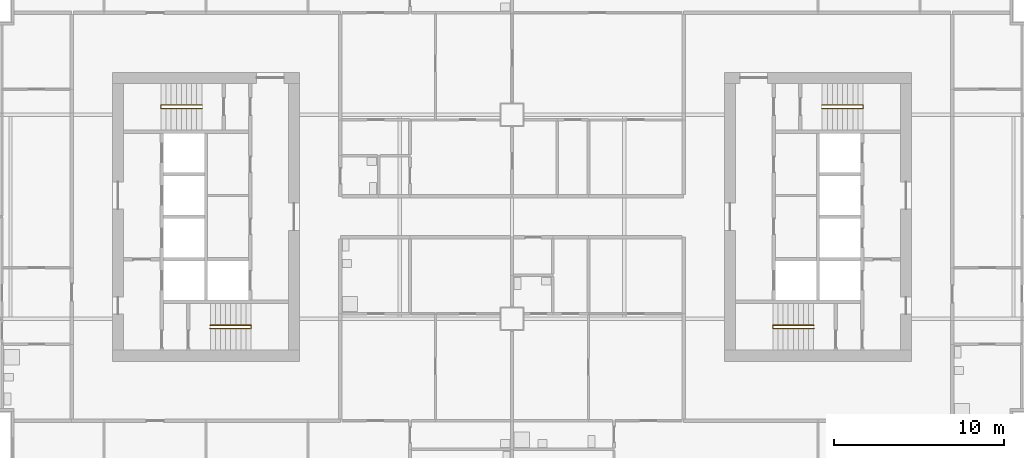
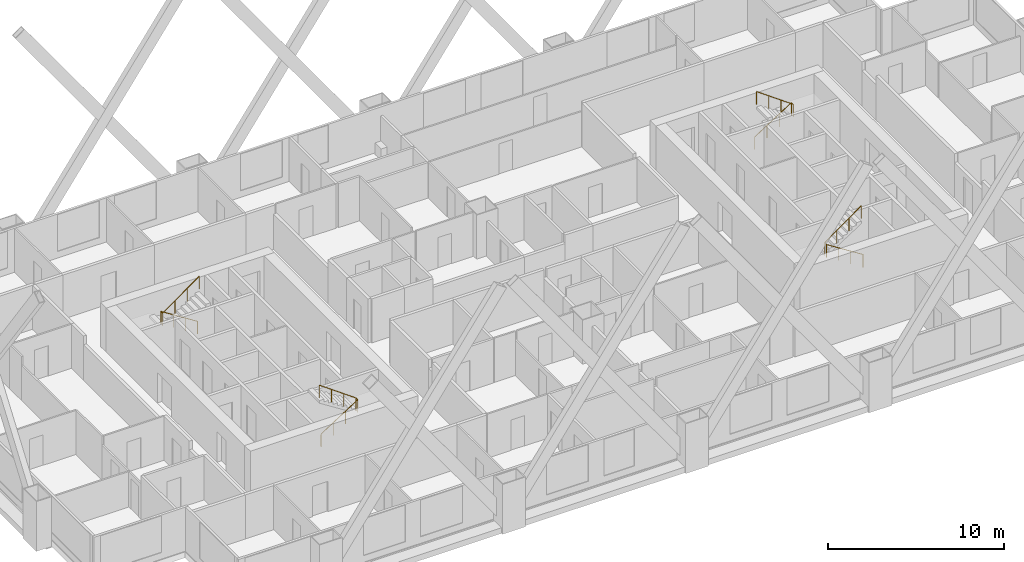
# One storey, part 10 of 11: 4 railings.
"""IFC4 building model written with IfcOpenShell, lengths in metres."""

from ifc_helpers import new_model, si_unit, direction, frame, origin, origin_2d, place, context, subcontext, project, spatial, circle, extrude, material, type_object, element, save


model = new_model("IFC4")

# Units and contexts
model_context = context("Model", 3, precision=1e-05, world=origin(), true_north=direction((0.0, 1.0)))
body_context = subcontext(model_context, "Body", "Model", "MODEL_VIEW")
ifc_project = project(units=[si_unit("LENGTHUNIT", "METRE"), si_unit("AREAUNIT", "SQUARE_METRE"), si_unit("VOLUMEUNIT", "CUBIC_METRE"), si_unit("PLANEANGLEUNIT", "RADIAN"), si_unit("MASSUNIT", "GRAM", prefix="KILO")], contexts=[model_context])

# Site, building, storey
site_placement = place(None, origin())
site = spatial("IfcSite", under=ifc_project, at=site_placement, CompositionType="ELEMENT")
building_placement = place(site_placement, origin())
building = spatial("IfcBuilding", under=site, at=building_placement, Name="Kitamizu Gate Tower and Museum", CompositionType="ELEMENT")
storey_placement = place(building_placement, frame((0.0, 0.0, 96.60009765625)))
storey = spatial("IfcBuildingStorey", under=building, at=storey_placement, Name="L24", CompositionType="ELEMENT", Elevation=96.60009765625)

# Railings
ifc_material = material(Name="Stainless steel SUS304", Category="steel")
railing_type = type_object("IfcRailingType", Name="Stair handrail 900", PredefinedType="HANDRAIL", material=ifc_material)
railing_1_placement = place(storey_placement, frame((18.25, 23.425048828125, 0.191650390625)))
element("IfcRailing", 1, at=railing_1_placement, inside=storey, type_object=railing_type, Name="Stair handrail ST1", PredefinedType="HANDRAIL", context=body_context, shape_type="SweptSolid", body=[
    extrude(circle(Radius=0.02392578125, at=origin_2d()), frame((0.0, 0.0, 0.8759765625), z_axis=(0.84270706373, 0.0, 0.538372366248), x_axis=(0.0, 1.0, 0.0)), (0.0, 0.0, 1.0), 2.847900390625),
    extrude(circle(Radius=0.02392578125, at=origin_2d()), frame((2.39990234375, 0.0, 2.4091796875), z_axis=(0.0, 1.0, 0.0), x_axis=(-1.0, 0.0, 0.0)), (0.0, 0.0, 1.0), 0.199951171875),
    extrude(circle(Radius=0.02392578125, at=origin_2d()), frame((2.39990234375, 0.199951171875, 2.4091796875), z_axis=(-0.811988456656, 0.0, 0.583673492852), x_axis=(0.0, -1.0, 0.0)), (0.0, 0.0, 1.0), 2.95556640625),
    extrude(circle(Radius=0.02099609375, at=origin_2d()), origin(), (0.0, 0.0, 1.0), 0.851806640625),
    extrude(circle(Radius=0.02099609375, at=origin_2d()), frame((0.800048828125, 0.0, 0.510986328125)), (0.0, 0.0, 1.0), 0.851806640625),
    extrude(circle(Radius=0.02099609375, at=origin_2d()), frame((1.599853515625, 0.0, 1.022216796875)), (0.0, 0.0, 1.0), 0.851806640625),
    extrude(circle(Radius=0.02099609375, at=origin_2d()), frame((2.39990234375, 0.0, 1.533203125)), (0.0, 0.0, 1.0), 0.851806640625),
    extrude(circle(Radius=0.02099609375, at=origin_2d()), frame((2.39990234375, 0.199951171875, 1.533203125)), (0.0, 0.0, 1.0), 0.851806640625),
    extrude(circle(Radius=0.02099609375, at=origin_2d()), frame((1.599853515625, 0.199951171875, 2.108154296875)), (0.0, 0.0, 1.0), 0.851806640625),
    extrude(circle(Radius=0.02099609375, at=origin_2d()), frame((0.800048828125, 0.199951171875, 2.683349609375)), (0.0, 0.0, 1.0), 0.851806640625),
    extrude(circle(Radius=0.02099609375, at=origin_2d()), frame((0.0, 0.199951171875, 3.25830078125)), (0.0, 0.0, 1.0), 0.851806640625),
])
railing_2_placement = place(storey_placement, frame((17.75, 36.574951171875, 0.191650390625)))
element("IfcRailing", 2, at=railing_2_placement, inside=storey, type_object=railing_type, Name="Stair handrail ST2", PredefinedType="HANDRAIL", context=body_context, shape_type="SweptSolid", body=[
    extrude(circle(Radius=0.02392578125, at=origin_2d()), frame((0.0, 0.0, 0.8759765625), z_axis=(-0.84270706373, 0.0, 0.538372366248), x_axis=(0.0, -1.0, 0.0)), (0.0, 0.0, 1.0), 2.847900390625),
    extrude(circle(Radius=0.02392578125, at=origin_2d()), frame((-2.39990234375, 0.0, 2.4091796875), z_axis=(0.0, -1.0, 0.0), x_axis=(1.0, 0.0, 0.0)), (0.0, 0.0, 1.0), 0.199951171875),
    extrude(circle(Radius=0.02392578125, at=origin_2d()), frame((-2.39990234375, -0.199951171875, 2.4091796875), z_axis=(0.811988456656, 0.0, 0.583673492852), x_axis=(0.0, 1.0, 0.0)), (0.0, 0.0, 1.0), 2.95556640625),
    extrude(circle(Radius=0.02099609375, at=origin_2d()), origin(), (0.0, 0.0, 1.0), 0.851806640625),
    extrude(circle(Radius=0.02099609375, at=origin_2d()), frame((-0.800048828125, 0.0, 0.510986328125)), (0.0, 0.0, 1.0), 0.851806640625),
    extrude(circle(Radius=0.02099609375, at=origin_2d()), frame((-1.599853515625, 0.0, 1.022216796875)), (0.0, 0.0, 1.0), 0.851806640625),
    extrude(circle(Radius=0.02099609375, at=origin_2d()), frame((-2.39990234375, 0.0, 1.533203125)), (0.0, 0.0, 1.0), 0.851806640625),
    extrude(circle(Radius=0.02099609375, at=origin_2d()), frame((-2.39990234375, -0.199951171875, 1.533203125)), (0.0, 0.0, 1.0), 0.851806640625),
    extrude(circle(Radius=0.02099609375, at=origin_2d()), frame((-1.599853515625, -0.199951171875, 2.108154296875)), (0.0, 0.0, 1.0), 0.851806640625),
    extrude(circle(Radius=0.02099609375, at=origin_2d()), frame((-0.800048828125, -0.199951171875, 2.683349609375)), (0.0, 0.0, 1.0), 0.851806640625),
    extrude(circle(Radius=0.02099609375, at=origin_2d()), frame((0.0, -0.199951171875, 3.25830078125)), (0.0, 0.0, 1.0), 0.851806640625),
])
railing_3_placement = place(storey_placement, frame((53.75, 23.425048828125, 0.191650390625)))
element("IfcRailing", 3, at=railing_3_placement, inside=storey, type_object=railing_type, Name="Stair handrail ST3", PredefinedType="HANDRAIL", context=body_context, shape_type="SweptSolid", body=[
    extrude(circle(Radius=0.02392578125, at=origin_2d()), frame((0.0, 0.0, 0.8759765625), z_axis=(-0.84270706373, 0.0, 0.538372366248), x_axis=(0.0, -1.0, 0.0)), (0.0, 0.0, 1.0), 2.847900390625),
    extrude(circle(Radius=0.02392578125, at=origin_2d()), frame((-2.39990234375, 0.0, 2.4091796875), z_axis=(0.0, 1.0, 0.0), x_axis=(-1.0, 0.0, 0.0)), (0.0, 0.0, 1.0), 0.199951171875),
    extrude(circle(Radius=0.02392578125, at=origin_2d()), frame((-2.39990234375, 0.199951171875, 2.4091796875), z_axis=(0.811988456656, 0.0, 0.583673492852), x_axis=(0.0, 1.0, 0.0)), (0.0, 0.0, 1.0), 2.95556640625),
    extrude(circle(Radius=0.02099609375, at=origin_2d()), origin(), (0.0, 0.0, 1.0), 0.851806640625),
    extrude(circle(Radius=0.02099609375, at=origin_2d()), frame((-0.800048828125, 0.0, 0.510986328125)), (0.0, 0.0, 1.0), 0.851806640625),
    extrude(circle(Radius=0.02099609375, at=origin_2d()), frame((-1.599853515625, 0.0, 1.022216796875)), (0.0, 0.0, 1.0), 0.851806640625),
    extrude(circle(Radius=0.02099609375, at=origin_2d()), frame((-2.39990234375, 0.0, 1.533203125)), (0.0, 0.0, 1.0), 0.851806640625),
    extrude(circle(Radius=0.02099609375, at=origin_2d()), frame((-2.39990234375, 0.199951171875, 1.533203125)), (0.0, 0.0, 1.0), 0.851806640625),
    extrude(circle(Radius=0.02099609375, at=origin_2d()), frame((-1.599853515625, 0.199951171875, 2.108154296875)), (0.0, 0.0, 1.0), 0.851806640625),
    extrude(circle(Radius=0.02099609375, at=origin_2d()), frame((-0.800048828125, 0.199951171875, 2.683349609375)), (0.0, 0.0, 1.0), 0.851806640625),
    extrude(circle(Radius=0.02099609375, at=origin_2d()), frame((0.0, 0.199951171875, 3.25830078125)), (0.0, 0.0, 1.0), 0.851806640625),
])
railing_4_placement = place(storey_placement, frame((54.25, 36.574951171875, 0.191650390625)))
element("IfcRailing", 4, at=railing_4_placement, inside=storey, type_object=railing_type, Name="Stair handrail ST4", PredefinedType="HANDRAIL", context=body_context, shape_type="SweptSolid", body=[
    extrude(circle(Radius=0.02392578125, at=origin_2d()), frame((0.0, 0.0, 0.8759765625), z_axis=(0.84270706373, 0.0, 0.538372366248), x_axis=(0.0, 1.0, 0.0)), (0.0, 0.0, 1.0), 2.847900390625),
    extrude(circle(Radius=0.02392578125, at=origin_2d()), frame((2.39990234375, 0.0, 2.4091796875), z_axis=(0.0, -1.0, 0.0), x_axis=(1.0, 0.0, 0.0)), (0.0, 0.0, 1.0), 0.199951171875),
    extrude(circle(Radius=0.02392578125, at=origin_2d()), frame((2.39990234375, -0.199951171875, 2.4091796875), z_axis=(-0.811988456656, 0.0, 0.583673492852), x_axis=(0.0, -1.0, 0.0)), (0.0, 0.0, 1.0), 2.95556640625),
    extrude(circle(Radius=0.02099609375, at=origin_2d()), origin(), (0.0, 0.0, 1.0), 0.851806640625),
    extrude(circle(Radius=0.02099609375, at=origin_2d()), frame((0.800048828125, 0.0, 0.510986328125)), (0.0, 0.0, 1.0), 0.851806640625),
    extrude(circle(Radius=0.02099609375, at=origin_2d()), frame((1.599853515625, 0.0, 1.022216796875)), (0.0, 0.0, 1.0), 0.851806640625),
    extrude(circle(Radius=0.02099609375, at=origin_2d()), frame((2.39990234375, 0.0, 1.533203125)), (0.0, 0.0, 1.0), 0.851806640625),
    extrude(circle(Radius=0.02099609375, at=origin_2d()), frame((2.39990234375, -0.199951171875, 1.533203125)), (0.0, 0.0, 1.0), 0.851806640625),
    extrude(circle(Radius=0.02099609375, at=origin_2d()), frame((1.599853515625, -0.199951171875, 2.108154296875)), (0.0, 0.0, 1.0), 0.851806640625),
    extrude(circle(Radius=0.02099609375, at=origin_2d()), frame((0.800048828125, -0.199951171875, 2.683349609375)), (0.0, 0.0, 1.0), 0.851806640625),
    extrude(circle(Radius=0.02099609375, at=origin_2d()), frame((0.0, -0.199951171875, 3.25830078125)), (0.0, 0.0, 1.0), 0.851806640625),
])

save(model, "model.ifc")
